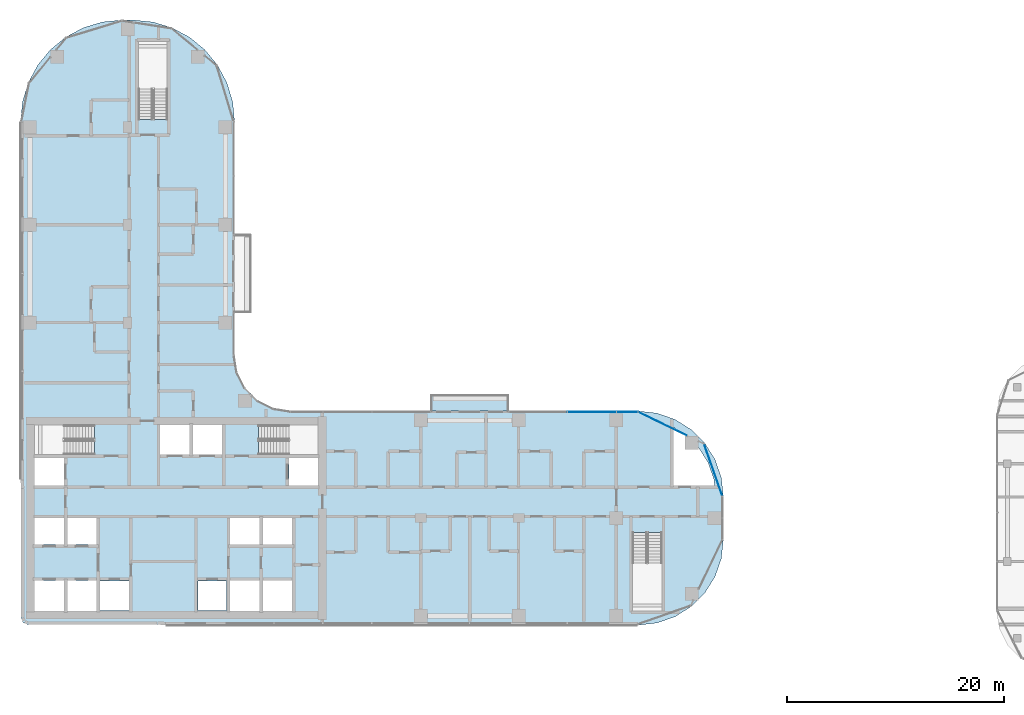
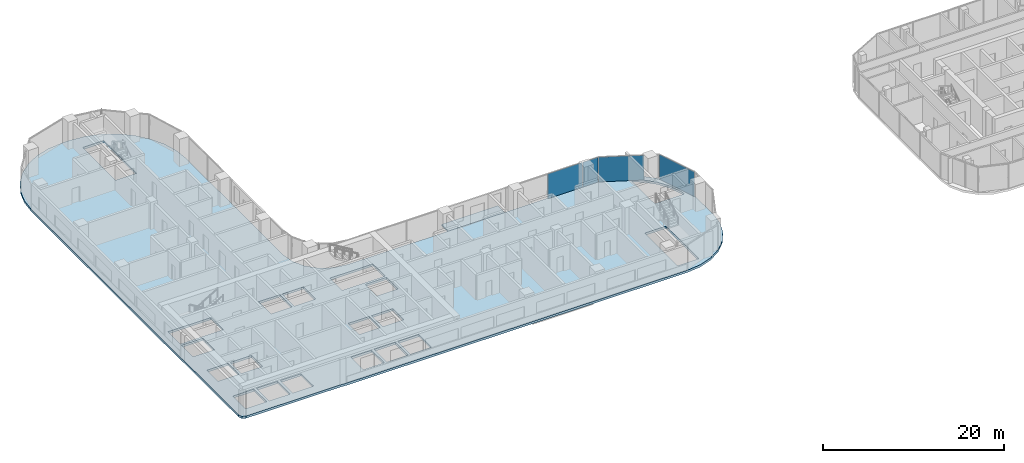
# One storey, part 14 of 35: 4 plates, 2 slabs, 3 elements without a shape of their own.
"""IFC4 building model written with IfcOpenShell, lengths in metres."""

from ifc_helpers import new_model, si_unit, direction, frame, origin, origin_2d, place, context, subcontext, project, spatial, polyline, rectangle, outline, extrude, material, layer, layer_set, type_object, element, aggregate, save


model = new_model("IFC4")

# Units and contexts
model_context = context("Model", 3, precision=1e-05, world=origin(), true_north=direction((0.0, 1.0)))
body_context = subcontext(model_context, "Body", "Model", "MODEL_VIEW")
ifc_project = project(units=[si_unit("LENGTHUNIT", "METRE"), si_unit("AREAUNIT", "SQUARE_METRE"), si_unit("VOLUMEUNIT", "CUBIC_METRE"), si_unit("PLANEANGLEUNIT", "RADIAN"), si_unit("MASSUNIT", "GRAM", prefix="KILO")], contexts=[model_context])

# Site, building, storey
site_placement = place(None, origin())
site = spatial("IfcSite", under=ifc_project, at=site_placement, CompositionType="ELEMENT")
building_placement = place(site_placement, origin())
building = spatial("IfcBuilding", under=site, at=building_placement, Name="Ogive Portal Towers", CompositionType="ELEMENT")
storey_placement = place(building_placement, frame((0.0, 0.0, 90.800048828125)))
storey = spatial("IfcBuildingStorey", under=building, at=storey_placement, Name="L21", CompositionType="ELEMENT", Elevation=90.800048828125)

# Slab
ifc_material_1 = material(Name="Concrete C40/50", Category="concrete")
ifc_layer_1 = layer(ifc_material_1, 0.199951171875)
ifc_layer_set_1 = layer_set([ifc_layer_1], Name="BALCONY SLAB 200")
slab_type_1 = type_object("IfcSlabType", Name="BALCONY SLAB 200", PredefinedType="FLOOR", material=ifc_layer_set_1)
slab_1_placement = place(storey_placement, frame((0.0, 0.0, -0.199951171875)))
element("IfcSlab", 1, at=slab_1_placement, inside=storey, type_object=slab_type_1, Name="Balcony T2", PredefinedType="FLOOR", context=body_context, shape_type="SweptSolid", body=[
    extrude(outline(polyline([(68.39990234375, 40.35498046875), (75.60009765625, 40.35498046875), (75.60009765625, 41.85498046875), (68.39990234375, 41.85498046875), (68.39990234375, 40.35498046875)])), origin(), (0.0, 0.0, 1.0), 0.199951171875),
])

# Curtain wall, plates
ifc_material_2 = material(Name="Glass, clear low-iron insulated glazing", Category="glass")
curtain_wall_type = type_object("IfcCurtainWallType", Name="CW FRONT RIBBON 4500", PredefinedType="NOTDEFINED", material=ifc_material_2)
curtain_wall_1_placement = place(storey_placement, origin())
curtain_wall_1 = element("IfcCurtainWall", 2, at=curtain_wall_1_placement, inside=storey, type_object=curtain_wall_type, Name="A:L21:f11:cw0", PredefinedType="NOTDEFINED")
ifc_layer_2 = layer(ifc_material_2, 0.028076171875)
ifc_layer_set_2 = layer_set([ifc_layer_2], Name="CW PANEL IGU 28")
plate_type = type_object("IfcPlateType", Name="CW PANEL IGU 28", PredefinedType="CURTAIN_PANEL", material=ifc_layer_set_2)
plate_1_placement = place(storey_placement, frame((86.490966796875, 40.27490234375, 0.0), z_axis=(0.0, 0.0, 1.0), x_axis=(-1.0, 0.0, 0.0)))
plate_1 = element("IfcPlate", 3, at=plate_1_placement, type_object=plate_type, Name="panel", PredefinedType="CURTAIN_PANEL", context=body_context, shape_type="SweptSolid", body=[
    extrude(rectangle(XDim=1.921630859375, YDim=0.028076171875, at=origin_2d()), origin(), (0.0, 0.0, 1.0), 3.340087890625),
])
plate_2_placement = place(storey_placement, frame((83.25, 40.27490234375, 0.0), z_axis=(0.0, 0.0, 1.0), x_axis=(-1.0, 0.0, 0.0)))
plate_2 = element("IfcPlate", 4, at=plate_2_placement, type_object=plate_type, Name="panel", PredefinedType="CURTAIN_PANEL", context=body_context, shape_type="SweptSolid", body=[
    extrude(rectangle(XDim=4.43994140625, YDim=0.028076171875, at=origin_2d()), origin(), (0.0, 0.0, 1.0), 3.340087890625),
])
aggregate(curtain_wall_1, [plate_1, plate_2])

# Curtain wall, plate
curtain_wall_2_placement = place(storey_placement, origin())
curtain_wall_2 = element("IfcCurtainWall", 5, at=curtain_wall_2_placement, inside=storey, type_object=curtain_wall_type, Name="A:L21:f09:cwa~0", PredefinedType="NOTDEFINED")
plate_3_placement = place(storey_placement, frame((94.42578125, 34.9130859375, 0.0), z_axis=(0.0, 0.0, 1.0), x_axis=(-0.33027906196, 0.943883330307, 0.0)))
plate_3 = element("IfcPlate", 6, at=plate_3_placement, type_object=plate_type, Name="panel", PredefinedType="CURTAIN_PANEL", context=body_context, shape_type="SweptSolid", body=[
    extrude(rectangle(XDim=5.08203125, YDim=0.028076171875, at=origin_2d()), origin(), (0.0, 0.0, 1.0), 3.340087890625),
])
aggregate(curtain_wall_2, [plate_3])

curtain_wall_3_placement = place(storey_placement, origin())
curtain_wall_3 = element("IfcCurtainWall", 7, at=curtain_wall_3_placement, inside=storey, type_object=curtain_wall_type, Name="A:L21:f09:cwa~1", PredefinedType="NOTDEFINED")
plate_4_placement = place(storey_placement, frame((89.765869140625, 39.175048828125, 0.0), z_axis=(0.0, 0.0, 1.0), x_axis=(-0.900968867905, 0.433883739113, 0.0)))
plate_4 = element("IfcPlate", 8, at=plate_4_placement, type_object=plate_type, Name="panel", PredefinedType="CURTAIN_PANEL", context=body_context, shape_type="SweptSolid", body=[
    extrude(rectangle(XDim=5.010498046875, YDim=0.028076171875, at=origin_2d()), origin(), (0.0, 0.0, 1.0), 3.340087890625),
])
aggregate(curtain_wall_3, [plate_4])

# Slab
ifc_material_3 = material(Name="Concrete C45/55", Category="concrete")
ifc_layer_3 = layer(ifc_material_3, 0.300048828125)
ifc_layer_set_3 = layer_set([ifc_layer_3], Name="PT FLAT PLATE 300")
slab_type_2 = type_object("IfcSlabType", Name="PT FLAT PLATE 300", PredefinedType="FLOOR", material=ifc_layer_set_3)
slab_2_placement = place(storey_placement, frame((0.0, 0.0, -0.300048828125)))
element("IfcSlab", 9, at=slab_2_placement, inside=storey, type_object=slab_type_2, Name="Floor slab L21", PredefinedType="FLOOR", context=body_context, shape_type="SweptSolid", body=[
    extrude(outline(polyline([(30.64501953125, 67.0), (30.64501953125, 34.0), (30.699951171875, 33.23095703125), (30.699951171875, 21.300048828125), (30.875732421875, 20.875732421875), (31.300048828125, 20.699951171875), (43.23095703125, 20.699951171875), (44.0, 20.64501953125), (87.5, 20.64501953125), (89.247802734375, 20.841796875), (90.908203125, 21.4228515625), (92.3974609375, 22.358642578125), (93.641357421875, 23.6025390625), (94.5771484375, 25.091796875), (95.158203125, 26.752197265625), (95.35498046875, 28.5), (95.35498046875, 32.5), (95.158203125, 34.247802734375), (94.5771484375, 35.908203125), (93.641357421875, 37.3974609375), (92.3974609375, 38.641357421875), (90.908203125, 39.5771484375), (89.247802734375, 40.158203125), (87.5, 40.35498046875), (55.5, 40.35498046875), (53.91015625, 40.606689453125), (52.475830078125, 41.337646484375), (51.337646484375, 42.475830078125), (50.606689453125, 43.91015625), (50.35498046875, 45.5), (50.35498046875, 67.0), (50.17529296875, 68.8251953125), (49.642822265625, 70.580078125), (48.7783203125, 72.197509765625), (47.614990234375, 73.614990234375), (46.197509765625, 74.7783203125), (44.580078125, 75.642822265625), (42.8251953125, 76.17529296875), (41.0, 76.35498046875), (40.0, 76.35498046875), (38.1748046875, 76.17529296875), (36.419921875, 75.642822265625), (34.802490234375, 74.7783203125), (33.385009765625, 73.614990234375), (32.2216796875, 72.197509765625), (31.357177734375, 70.580078125), (30.82470703125, 68.8251953125), (30.64501953125, 67.0)]), holes=[polyline([(34.64990234375, 24.75), (34.64990234375, 21.949951171875), (31.949951171875, 21.949951171875), (31.949951171875, 24.75), (34.64990234375, 24.75)]), polyline([(37.64990234375, 24.75), (37.64990234375, 21.949951171875), (34.949951171875, 21.949951171875), (34.949951171875, 24.75), (37.64990234375, 24.75)]), polyline([(40.6298828125, 21.969970703125), (37.969970703125, 21.969970703125), (37.969970703125, 24.72998046875), (40.6298828125, 24.72998046875), (40.6298828125, 21.969970703125)]), polyline([(46.969970703125, 21.969970703125), (46.969970703125, 24.72998046875), (49.6298828125, 24.72998046875), (49.6298828125, 21.969970703125), (46.969970703125, 21.969970703125)]), polyline([(34.64990234375, 28.050048828125), (31.949951171875, 28.050048828125), (31.949951171875, 30.5), (34.64990234375, 30.5), (34.64990234375, 28.050048828125)]), polyline([(37.64990234375, 30.5), (37.64990234375, 28.050048828125), (34.949951171875, 28.050048828125), (34.949951171875, 30.5), (37.64990234375, 30.5)]), polyline([(34.64990234375, 36.050048828125), (34.64990234375, 33.5), (31.949951171875, 33.5), (31.949951171875, 36.050048828125), (34.64990234375, 36.050048828125)]), polyline([(31.951904296875, 39.048095703125), (37.447998046875, 39.048095703125), (37.447998046875, 36.35205078125), (31.951904296875, 36.35205078125), (31.951904296875, 39.048095703125)]), polyline([(46.199951171875, 36.35009765625), (43.5, 36.35009765625), (43.5, 39.050048828125), (46.199951171875, 39.050048828125), (46.199951171875, 36.35009765625)]), polyline([(49.199951171875, 36.35009765625), (46.5, 36.35009765625), (46.5, 39.050048828125), (49.199951171875, 39.050048828125), (49.199951171875, 36.35009765625)]), polyline([(44.197998046875, 74.447998046875), (44.197998046875, 67.201904296875), (41.501953125, 67.201904296875), (41.501953125, 74.447998046875), (44.197998046875, 74.447998046875)]), polyline([(52.64990234375, 24.75), (52.64990234375, 21.949951171875), (49.949951171875, 21.949951171875), (49.949951171875, 24.75), (52.64990234375, 24.75)]), polyline([(55.64990234375, 21.949951171875), (52.949951171875, 21.949951171875), (52.949951171875, 24.75), (55.64990234375, 24.75), (55.64990234375, 21.949951171875)]), polyline([(87.001953125, 29.16796875), (89.697998046875, 29.16796875), (89.697998046875, 21.951904296875), (87.001953125, 21.951904296875), (87.001953125, 29.16796875)]), polyline([(52.64990234375, 30.5), (52.64990234375, 28.050048828125), (49.949951171875, 28.050048828125), (49.949951171875, 30.5), (52.64990234375, 30.5)]), polyline([(55.64990234375, 28.050048828125), (52.949951171875, 28.050048828125), (52.949951171875, 30.5), (55.64990234375, 30.5), (55.64990234375, 28.050048828125)]), polyline([(58.050048828125, 36.050048828125), (58.050048828125, 33.5), (55.35009765625, 33.5), (55.35009765625, 36.050048828125), (58.050048828125, 36.050048828125)]), polyline([(93.9423828125, 35.6025390625), (94.47119140625, 34.09130859375), (94.53564453125, 33.52001953125), (90.77001953125, 33.52001953125), (90.77001953125, 38.837158203125), (91.958251953125, 38.090576171875), (93.090576171875, 36.958251953125), (93.9423828125, 35.6025390625)]), polyline([(52.552001953125, 36.35205078125), (52.552001953125, 39.048095703125), (58.048095703125, 39.048095703125), (58.048095703125, 36.35205078125), (52.552001953125, 36.35205078125)])]), origin(), (0.0, 0.0, 1.0), 0.300048828125),
])

save(model, "model.ifc")
